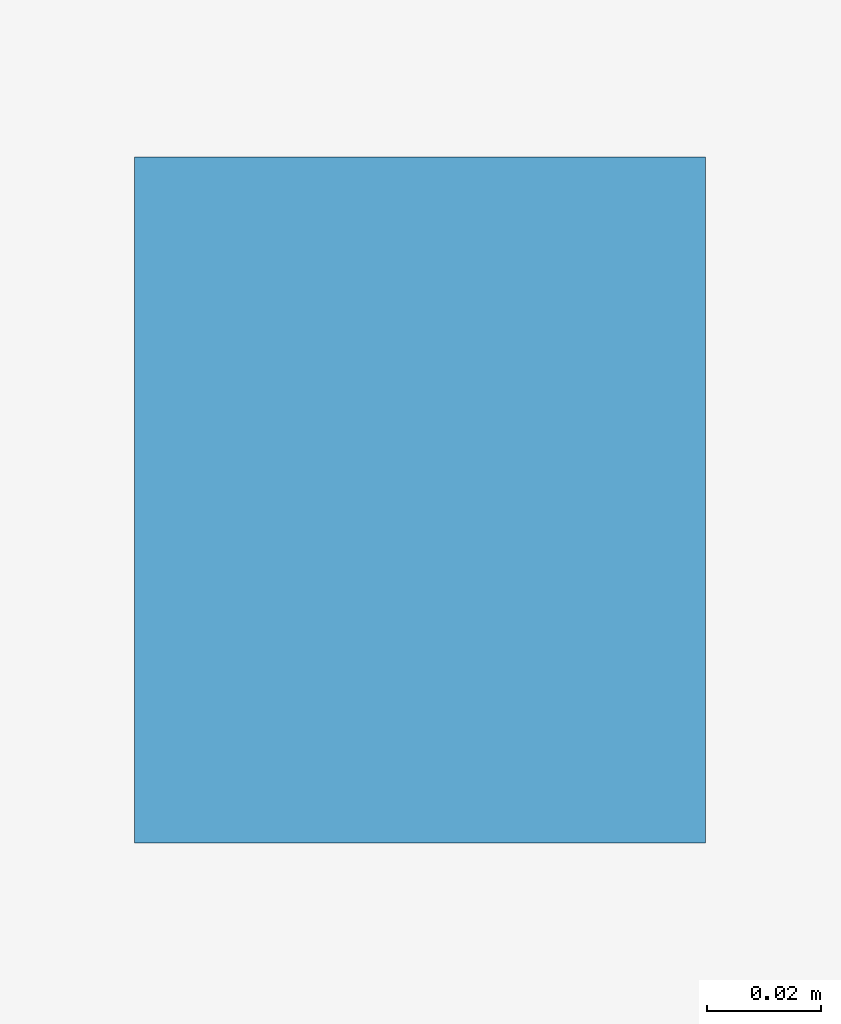
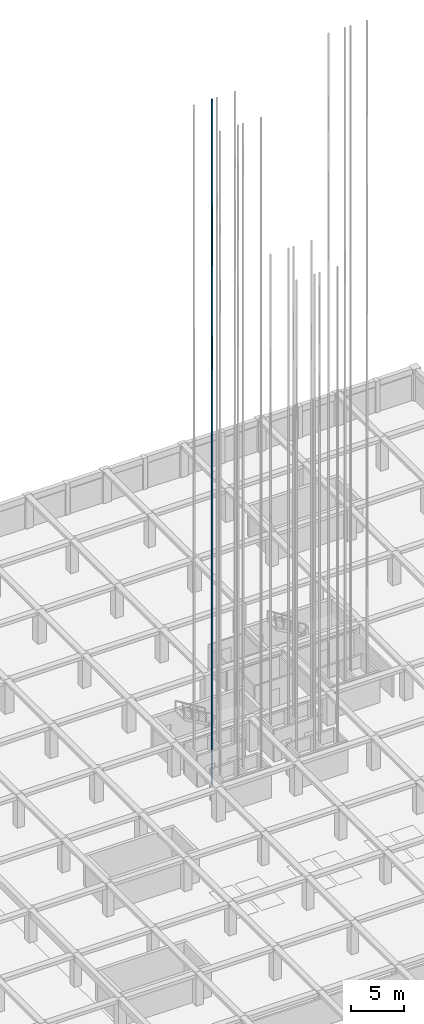
# One storey, part 30 of 47: 1 discrete accessory.
"""IFC4 building model written with IfcOpenShell, lengths in metres."""

import ifcopenshell
import ifcopenshell.guid

model = None  # the IFC model being written
_history = None  # IfcOwnerHistory: only IFC2X3 demands one
_inside = {}  # id of a spatial element -> (the spatial element, [elements in it])
_under = {}  # id of a project, library or spatial element -> (it, [spatial elements below it])
_declared = {}  # id of a project -> (the project, [libraries it declares])
_typed = {}  # id of a type object -> (the type object, [elements of that type])
_made_of = {}  # id of a material, layer set ... -> (it, [elements and type objects made of it])


def new_model(schema):
    """Start an empty IFC model of exactly this schema.

    Asked for "IFC4X3", IfcOpenShell would pick the latest addendum, in which some entities
    have other attributes; the version numbers below select the first issue.
    IFC2X3 requires an IfcOwnerHistory on every rooted entity: one is made here for all.
    """
    global model, _history
    if schema == "IFC4X3":
        model = ifcopenshell.file(schema_version=(4, 3, 0, 0))
    else:
        model = ifcopenshell.file(schema=schema)
    _inside.clear()
    _under.clear()
    _declared.clear()
    _typed.clear()
    _made_of.clear()
    _history = None
    if model.schema == "IFC2X3":
        org = make("IfcOrganization", Name="unknown")
        user = make(
            "IfcPersonAndOrganization",
            ThePerson=make("IfcPerson", FamilyName="unknown"),
            TheOrganization=org,
        )
        app = make(
            "IfcApplication",
            ApplicationDeveloper=org,
            Version="unknown",
            ApplicationFullName="unknown",
            ApplicationIdentifier="unknown",
        )
        _history = make(
            "IfcOwnerHistory",
            OwningUser=user,
            OwningApplication=app,
            ChangeAction="ADDED",
            CreationDate=0,
        )
    return model


def make(cls, **values):
    """One entity of the class cls with the attributes given. An attribute that is None is left unset."""
    return model.create_entity(
        cls, **{name: value for name, value in values.items() if value is not None}
    )


def rooted(cls, **values):
    """An entity with a GlobalId (a new one), such as an element, a storey or a relation."""
    return make(cls, GlobalId=ifcopenshell.guid.new(), OwnerHistory=_history, **values)


def si_unit(unit_type, name, prefix=None):
    """IfcSIUnit, for example si_unit("LENGTHUNIT", "METRE", prefix="MILLI")."""
    return make("IfcSIUnit", UnitType=unit_type, Prefix=prefix, Name=name)


def assignment(units):
    """IfcUnitAssignment: the units of a project."""
    return None if units is None else make("IfcUnitAssignment", Units=units)


def point(xyz):
    """IfcCartesianPoint."""
    return None if xyz is None else make("IfcCartesianPoint", Coordinates=xyz)


def direction(xyz):
    """IfcDirection."""
    return None if xyz is None else make("IfcDirection", DirectionRatios=xyz)


def frame(location, z_axis=None, x_axis=None):
    """IfcAxis2Placement3D, a coordinate frame: its origin and axes. An axis left out is left unset."""
    return make(
        "IfcAxis2Placement3D",
        Location=point(location),
        Axis=direction(z_axis),
        RefDirection=direction(x_axis),
    )


def frame_2d(location, x_axis=None):
    """IfcAxis2Placement2D, a coordinate frame in the plane: its origin and x axis."""
    return make(
        "IfcAxis2Placement2D", Location=point(location), RefDirection=direction(x_axis)
    )


def origin():
    """The frame at (0, 0, 0) with its axes left unset."""
    return frame((0.0, 0.0, 0.0))


def origin_2d():
    """The frame at (0, 0) in the plane with its x axis left unset."""
    return frame_2d((0.0, 0.0))


def place(relative_to, where):
    """IfcLocalPlacement: puts the frame where relative to a parent placement (None: the world)."""
    return make(
        "IfcLocalPlacement", PlacementRelTo=relative_to, RelativePlacement=where
    )


def context(
    kind, dimensions, precision=None, world=None, true_north=None, identifier=None
):
    """IfcGeometricRepresentationContext, for example the 3D "Model" context."""
    return make(
        "IfcGeometricRepresentationContext",
        ContextIdentifier=identifier,
        ContextType=kind,
        CoordinateSpaceDimension=dimensions,
        Precision=precision,
        WorldCoordinateSystem=world,
        TrueNorth=true_north,
    )


def subcontext(parent, identifier, kind, view, scale=None):
    """IfcGeometricRepresentationSubContext, for example "Body" below "Model"."""
    return make(
        "IfcGeometricRepresentationSubContext",
        ContextIdentifier=identifier,
        ContextType=kind,
        ParentContext=parent,
        TargetScale=scale,
        TargetView=view,
    )


def project(units=None, contexts=None):
    """IfcProject with its units and contexts."""
    return rooted(
        "IfcProject",
        Name="project",
        RepresentationContexts=contexts,
        UnitsInContext=assignment(units),
    )


def spatial(cls, under=None, at=None, **own):
    """A site, building, storey or space (cls), placed at a placement, below another one or the project."""
    s = rooted(cls, ObjectPlacement=at, **own)
    if under is not None:
        _under.setdefault(under.id(), (under, []))[1].append(s)
    return s


def profile(cls, at=None, kind="AREA", **sizes):
    """A parametric profile (cls). Its sizes go by their IFC names, for example OverallWidth=200.0."""
    return make(cls, ProfileType=kind, Position=at, **sizes)


def rectangle(**sizes):
    """IfcRectangleProfileDef."""
    return profile("IfcRectangleProfileDef", **sizes)


def extrude(swept, where, along, depth):
    """IfcExtrudedAreaSolid: the profile swept, set in the frame where, extruded along a direction by depth."""
    return make(
        "IfcExtrudedAreaSolid",
        SweptArea=swept,
        Position=where,
        ExtrudedDirection=direction(along),
        Depth=depth,
    )


def shape(context_of_items, identifier, shape_type, items):
    """IfcShapeRepresentation: the items that make up one representation, for example the "Body"."""
    return make(
        "IfcShapeRepresentation",
        ContextOfItems=context_of_items,
        RepresentationIdentifier=identifier,
        RepresentationType=shape_type,
        Items=items,
    )


def material(Name=None, Category=None):
    """IfcMaterial."""
    return make("IfcMaterial", Name=Name, Category=Category)


def layer(
    of_material, thickness, ventilated=None, Name=None, Category=None, Priority=None
):
    """IfcMaterialLayer: one layer of a wall or slab, of a material (None: an air gap)."""
    return make(
        "IfcMaterialLayer",
        Material=of_material,
        LayerThickness=thickness,
        IsVentilated=ventilated,
        Name=Name,
        Category=Category,
        Priority=Priority,
    )


def layer_set(layers, Name=None):
    """IfcMaterialLayerSet."""
    return make("IfcMaterialLayerSet", MaterialLayers=layers, LayerSetName=Name)


def made_of(thing, what):
    """Note that an element or type object is made of a material, layer set ...; save() writes the relation."""
    if what is not None:
        _made_of.setdefault(what.id(), (what, []))[1].append(thing)
    return thing


def type_object(cls, material=None, **own):
    """A type object (cls), such as IfcWallType, which elements share."""
    return made_of(rooted(cls, **own), material)


def element(
    cls,
    number,
    at=None,
    inside=None,
    cuts=None,
    type_object=None,
    material=None,
    context=None,
    identifier="Body",
    shape_type=None,
    held_by="IfcProductDefinitionShape",
    body=None,
    shapes=None,
    **own,
):
    """One element of the class cls, such as IfcWall. Its Tag is "e" and its number.

    at: its placement. inside: the storey or other place that contains it. cuts: it is an
    opening in that element (IfcRelVoidsElement). A single representation is given by context,
    identifier, shape_type and body (its items); several are given by shapes. held_by: the class
    of the entity that holds the representations. save() writes the other relations.
    """
    e = rooted(cls, Tag="e%d" % number, ObjectPlacement=at, **own)
    if body is not None:
        shapes = [shape(context, identifier, shape_type, body)]
    if shapes is not None:
        e.Representation = make(held_by, Representations=shapes)
    if inside is not None:
        _inside.setdefault(inside.id(), (inside, []))[1].append(e)
    if cuts is not None:
        rooted(
            "IfcRelVoidsElement", RelatingBuildingElement=cuts, RelatedOpeningElement=e
        )
    if type_object is not None:
        _typed.setdefault(type_object.id(), (type_object, []))[1].append(e)
    return made_of(e, material)


def aggregate(whole, parts):
    """IfcRelAggregates: a whole, such as a stair, and the parts it consists of."""
    return rooted("IfcRelAggregates", RelatingObject=whole, RelatedObjects=parts)


def save(model, path):
    """Write the relations noted so far, then the file.

    IfcRelAggregates (storeys below a building ...), IfcRelContainedInSpatialStructure (elements
    in a storey), IfcRelDefinesByType, IfcRelAssociatesMaterial and IfcRelDeclares: one each for
    every whole, place, type object, material and project.
    """
    for whole, parts in _under.values():
        aggregate(whole, parts)
    for where, things in _inside.values():
        rooted(
            "IfcRelContainedInSpatialStructure",
            RelatedElements=things,
            RelatingStructure=where,
        )
    for kind, things in _typed.values():
        rooted("IfcRelDefinesByType", RelatedObjects=things, RelatingType=kind)
    for what, things in _made_of.values():
        rooted("IfcRelAssociatesMaterial", RelatedObjects=things, RelatingMaterial=what)
    for by, libraries in _declared.values():
        rooted("IfcRelDeclares", RelatingContext=by, RelatedDefinitions=libraries)
    model.write(path)


model = new_model("IFC4")

# Units and contexts
model_context = context("Model", 3, precision=1e-05, world=origin(), true_north=direction((0.0, 1.0)))
body_context = subcontext(model_context, "Body", "Model", "MODEL_VIEW")
ifc_project = project(units=[si_unit("LENGTHUNIT", "METRE"), si_unit("AREAUNIT", "SQUARE_METRE"), si_unit("VOLUMEUNIT", "CUBIC_METRE"), si_unit("PLANEANGLEUNIT", "RADIAN"), si_unit("MASSUNIT", "GRAM", prefix="KILO")], contexts=[model_context])

# Site, building, storey
site_placement = place(None, origin())
site = spatial("IfcSite", under=ifc_project, at=site_placement, CompositionType="ELEMENT")
building_placement = place(site_placement, origin())
building = spatial("IfcBuilding", under=site, at=building_placement, Name="Almacenes y Pasaje Nevantli", CompositionType="ELEMENT")
storey_placement = place(building_placement, frame((0.0, 0.0, -8.10009765625)))
storey = spatial("IfcBuildingStorey", under=building, at=storey_placement, Name="B02", CompositionType="ELEMENT", Elevation=-8.10009765625)

# Discrete accessory
ifc_material = material(Name="Steel ASTM A36", Category="steel")
ifc_layer = layer(ifc_material, 0.1201171875)
ifc_layer_set = layer_set([ifc_layer], Name="Steel ASTM A36")
discrete_accessory_type = type_object("IfcDiscreteAccessoryType", Name="ACC-LIFT-RAIL", PredefinedType="BRACKET", material=ifc_layer_set)
discrete_accessory_placement = place(storey_placement, frame((120.72998046875, 73.85009765625, -1.199951171875), z_axis=(0.0, 0.0, 1.0), x_axis=(1.0, 0.0, 0.0)))
element("IfcDiscreteAccessory", 1, at=discrete_accessory_placement, inside=storey, type_object=discrete_accessory_type, Name="Elevator Steel T-Section Guide Rail ELV-P07-E", PredefinedType="BRACKET", context=body_context, shape_type="SweptSolid", body=[
    extrude(rectangle(XDim=0.10009765625, YDim=0.1201171875, at=origin_2d()), origin(), (0.0, 0.0, 1.0), 78.5),
])

save(model, "model.ifc")
